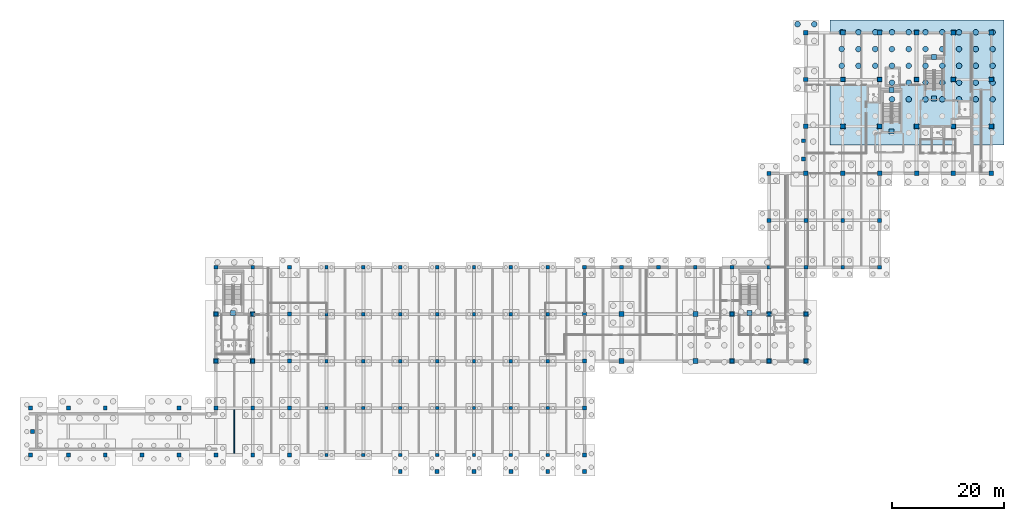
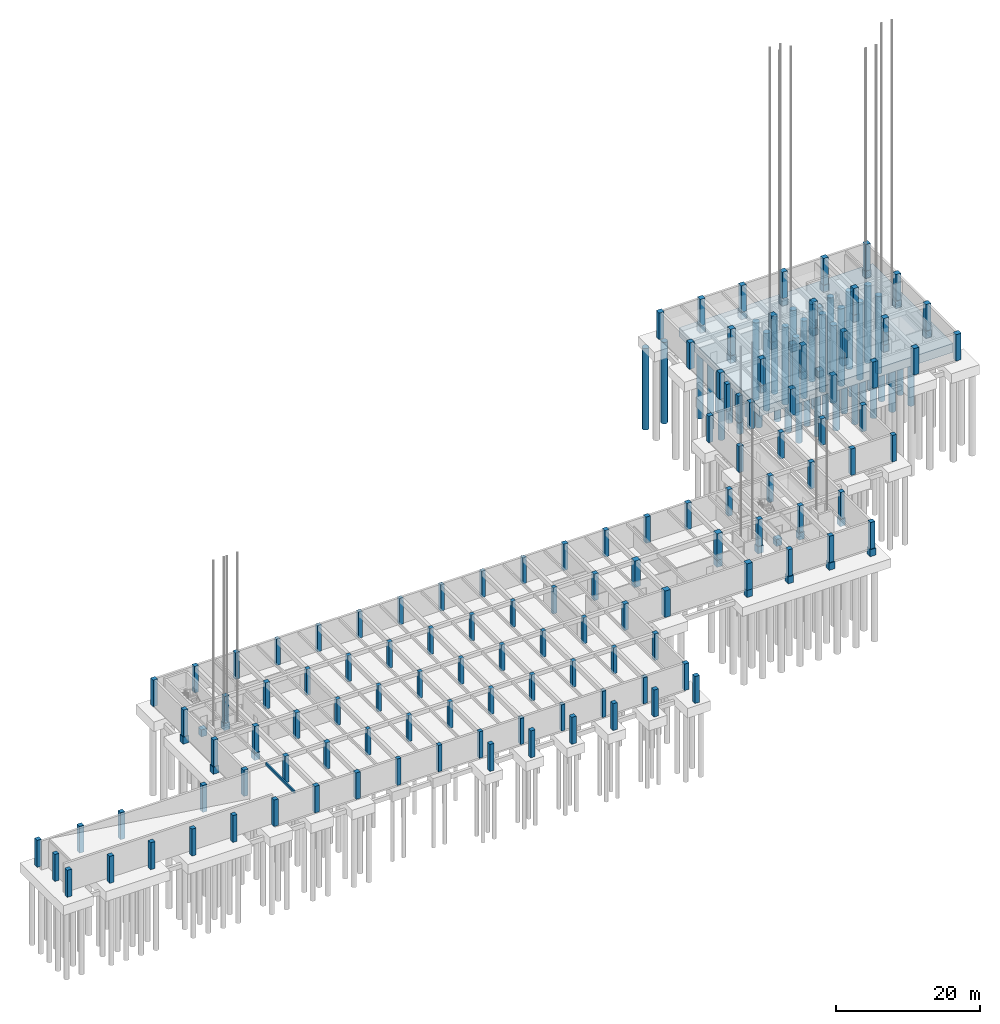
# One storey, part 5 of 44: 153 columns, 46 piles, 1 beam, 1 footing.
"""IFC4 building model written with IfcOpenShell, lengths in metres."""

import ifcopenshell
import ifcopenshell.guid

model = None  # the IFC model being written
_history = None  # IfcOwnerHistory: only IFC2X3 demands one
_inside = {}  # id of a spatial element -> (the spatial element, [elements in it])
_under = {}  # id of a project, library or spatial element -> (it, [spatial elements below it])
_declared = {}  # id of a project -> (the project, [libraries it declares])
_typed = {}  # id of a type object -> (the type object, [elements of that type])
_made_of = {}  # id of a material, layer set ... -> (it, [elements and type objects made of it])


def new_model(schema):
    """Start an empty IFC model of exactly this schema.

    Asked for "IFC4X3", IfcOpenShell would pick the latest addendum, in which some entities
    have other attributes; the version numbers below select the first issue.
    IFC2X3 requires an IfcOwnerHistory on every rooted entity: one is made here for all.
    """
    global model, _history
    if schema == "IFC4X3":
        model = ifcopenshell.file(schema_version=(4, 3, 0, 0))
    else:
        model = ifcopenshell.file(schema=schema)
    _inside.clear()
    _under.clear()
    _declared.clear()
    _typed.clear()
    _made_of.clear()
    _history = None
    if model.schema == "IFC2X3":
        org = make("IfcOrganization", Name="unknown")
        user = make(
            "IfcPersonAndOrganization",
            ThePerson=make("IfcPerson", FamilyName="unknown"),
            TheOrganization=org,
        )
        app = make(
            "IfcApplication",
            ApplicationDeveloper=org,
            Version="unknown",
            ApplicationFullName="unknown",
            ApplicationIdentifier="unknown",
        )
        _history = make(
            "IfcOwnerHistory",
            OwningUser=user,
            OwningApplication=app,
            ChangeAction="ADDED",
            CreationDate=0,
        )
    return model


def make(cls, **values):
    """One entity of the class cls with the attributes given. An attribute that is None is left unset."""
    return model.create_entity(
        cls, **{name: value for name, value in values.items() if value is not None}
    )


def rooted(cls, **values):
    """An entity with a GlobalId (a new one), such as an element, a storey or a relation."""
    return make(cls, GlobalId=ifcopenshell.guid.new(), OwnerHistory=_history, **values)


def si_unit(unit_type, name, prefix=None):
    """IfcSIUnit, for example si_unit("LENGTHUNIT", "METRE", prefix="MILLI")."""
    return make("IfcSIUnit", UnitType=unit_type, Prefix=prefix, Name=name)


def assignment(units):
    """IfcUnitAssignment: the units of a project."""
    return None if units is None else make("IfcUnitAssignment", Units=units)


def point(xyz):
    """IfcCartesianPoint."""
    return None if xyz is None else make("IfcCartesianPoint", Coordinates=xyz)


def direction(xyz):
    """IfcDirection."""
    return None if xyz is None else make("IfcDirection", DirectionRatios=xyz)


def frame(location, z_axis=None, x_axis=None):
    """IfcAxis2Placement3D, a coordinate frame: its origin and axes. An axis left out is left unset."""
    return make(
        "IfcAxis2Placement3D",
        Location=point(location),
        Axis=direction(z_axis),
        RefDirection=direction(x_axis),
    )


def frame_2d(location, x_axis=None):
    """IfcAxis2Placement2D, a coordinate frame in the plane: its origin and x axis."""
    return make(
        "IfcAxis2Placement2D", Location=point(location), RefDirection=direction(x_axis)
    )


def origin():
    """The frame at (0, 0, 0) with its axes left unset."""
    return frame((0.0, 0.0, 0.0))


def origin_2d():
    """The frame at (0, 0) in the plane with its x axis left unset."""
    return frame_2d((0.0, 0.0))


def place(relative_to, where):
    """IfcLocalPlacement: puts the frame where relative to a parent placement (None: the world)."""
    return make(
        "IfcLocalPlacement", PlacementRelTo=relative_to, RelativePlacement=where
    )


def context(
    kind, dimensions, precision=None, world=None, true_north=None, identifier=None
):
    """IfcGeometricRepresentationContext, for example the 3D "Model" context."""
    return make(
        "IfcGeometricRepresentationContext",
        ContextIdentifier=identifier,
        ContextType=kind,
        CoordinateSpaceDimension=dimensions,
        Precision=precision,
        WorldCoordinateSystem=world,
        TrueNorth=true_north,
    )


def subcontext(parent, identifier, kind, view, scale=None):
    """IfcGeometricRepresentationSubContext, for example "Body" below "Model"."""
    return make(
        "IfcGeometricRepresentationSubContext",
        ContextIdentifier=identifier,
        ContextType=kind,
        ParentContext=parent,
        TargetScale=scale,
        TargetView=view,
    )


def project(units=None, contexts=None):
    """IfcProject with its units and contexts."""
    return rooted(
        "IfcProject",
        Name="project",
        RepresentationContexts=contexts,
        UnitsInContext=assignment(units),
    )


def spatial(cls, under=None, at=None, **own):
    """A site, building, storey or space (cls), placed at a placement, below another one or the project."""
    s = rooted(cls, ObjectPlacement=at, **own)
    if under is not None:
        _under.setdefault(under.id(), (under, []))[1].append(s)
    return s


def profile(cls, at=None, kind="AREA", **sizes):
    """A parametric profile (cls). Its sizes go by their IFC names, for example OverallWidth=200.0."""
    return make(cls, ProfileType=kind, Position=at, **sizes)


def rectangle(**sizes):
    """IfcRectangleProfileDef."""
    return profile("IfcRectangleProfileDef", **sizes)


def circle(**sizes):
    """IfcCircleProfileDef."""
    return profile("IfcCircleProfileDef", **sizes)


def extrude(swept, where, along, depth):
    """IfcExtrudedAreaSolid: the profile swept, set in the frame where, extruded along a direction by depth."""
    return make(
        "IfcExtrudedAreaSolid",
        SweptArea=swept,
        Position=where,
        ExtrudedDirection=direction(along),
        Depth=depth,
    )


def shape(context_of_items, identifier, shape_type, items):
    """IfcShapeRepresentation: the items that make up one representation, for example the "Body"."""
    return make(
        "IfcShapeRepresentation",
        ContextOfItems=context_of_items,
        RepresentationIdentifier=identifier,
        RepresentationType=shape_type,
        Items=items,
    )


def material(Name=None, Category=None):
    """IfcMaterial."""
    return make("IfcMaterial", Name=Name, Category=Category)


def material_profile(
    of_material, cross_section, Name=None, Category=None, Priority=None
):
    """IfcMaterialProfile: a cross section and its material."""
    return make(
        "IfcMaterialProfile",
        Name=Name,
        Material=of_material,
        Profile=cross_section,
        Priority=Priority,
        Category=Category,
    )


def profile_set(profiles, Name=None, composite=None):
    """IfcMaterialProfileSet."""
    return make(
        "IfcMaterialProfileSet",
        Name=Name,
        MaterialProfiles=profiles,
        CompositeProfile=composite,
    )


def made_of(thing, what):
    """Note that an element or type object is made of a material, layer set ...; save() writes the relation."""
    if what is not None:
        _made_of.setdefault(what.id(), (what, []))[1].append(thing)
    return thing


def type_object(cls, material=None, **own):
    """A type object (cls), such as IfcWallType, which elements share."""
    return made_of(rooted(cls, **own), material)


def element(
    cls,
    number,
    at=None,
    inside=None,
    cuts=None,
    type_object=None,
    material=None,
    context=None,
    identifier="Body",
    shape_type=None,
    held_by="IfcProductDefinitionShape",
    body=None,
    shapes=None,
    **own,
):
    """One element of the class cls, such as IfcWall. Its Tag is "e" and its number.

    at: its placement. inside: the storey or other place that contains it. cuts: it is an
    opening in that element (IfcRelVoidsElement). A single representation is given by context,
    identifier, shape_type and body (its items); several are given by shapes. held_by: the class
    of the entity that holds the representations. save() writes the other relations.
    """
    e = rooted(cls, Tag="e%d" % number, ObjectPlacement=at, **own)
    if body is not None:
        shapes = [shape(context, identifier, shape_type, body)]
    if shapes is not None:
        e.Representation = make(held_by, Representations=shapes)
    if inside is not None:
        _inside.setdefault(inside.id(), (inside, []))[1].append(e)
    if cuts is not None:
        rooted(
            "IfcRelVoidsElement", RelatingBuildingElement=cuts, RelatedOpeningElement=e
        )
    if type_object is not None:
        _typed.setdefault(type_object.id(), (type_object, []))[1].append(e)
    return made_of(e, material)


def aggregate(whole, parts):
    """IfcRelAggregates: a whole, such as a stair, and the parts it consists of."""
    return rooted("IfcRelAggregates", RelatingObject=whole, RelatedObjects=parts)


def save(model, path):
    """Write the relations noted so far, then the file.

    IfcRelAggregates (storeys below a building ...), IfcRelContainedInSpatialStructure (elements
    in a storey), IfcRelDefinesByType, IfcRelAssociatesMaterial and IfcRelDeclares: one each for
    every whole, place, type object, material and project.
    """
    for whole, parts in _under.values():
        aggregate(whole, parts)
    for where, things in _inside.values():
        rooted(
            "IfcRelContainedInSpatialStructure",
            RelatedElements=things,
            RelatingStructure=where,
        )
    for kind, things in _typed.values():
        rooted("IfcRelDefinesByType", RelatedObjects=things, RelatingType=kind)
    for what, things in _made_of.values():
        rooted("IfcRelAssociatesMaterial", RelatedObjects=things, RelatingMaterial=what)
    for by, libraries in _declared.values():
        rooted("IfcRelDeclares", RelatingContext=by, RelatedDefinitions=libraries)
    model.write(path)


model = new_model("IFC4")

# Units and contexts
model_context = context("Model", 3, precision=1e-05, world=origin(), true_north=direction((0.0, 1.0)))
body_context = subcontext(model_context, "Body", "Model", "MODEL_VIEW")
ifc_project = project(units=[si_unit("LENGTHUNIT", "METRE"), si_unit("AREAUNIT", "SQUARE_METRE"), si_unit("VOLUMEUNIT", "CUBIC_METRE"), si_unit("PLANEANGLEUNIT", "RADIAN"), si_unit("MASSUNIT", "GRAM", prefix="KILO")], contexts=[model_context])

# Site, building, storey
site_placement = place(None, origin())
site = spatial("IfcSite", under=ifc_project, at=site_placement, CompositionType="ELEMENT")
building_placement = place(site_placement, origin())
building = spatial("IfcBuilding", under=site, at=building_placement, Name="Kolvaren Faculty of Natural Sciences", CompositionType="ELEMENT")
storey_placement = place(building_placement, frame((0.0, 0.0, -4.5)))
storey = spatial("IfcBuildingStorey", under=building, at=storey_placement, Name="B01", CompositionType="ELEMENT", Elevation=-4.5)

# Piles
ifc_material_1 = material(Name="Concrete C35/45", Category="concrete")
ifc_material_profile_1 = material_profile(ifc_material_1, circle(Radius=0.5, at=origin_2d()), Name="PILE D1000")
ifc_profile_set_1 = profile_set([ifc_material_profile_1], Name="Concrete C35/45")
pile_type = type_object("IfcPileType", Name="BoredPile_1000", PredefinedType="BORED", material=ifc_profile_set_1)
for number, where, z_axis, x_axis, name in (
    (1, (137.300048828125, 85.699951171875, -1.949951171875), (0.0, 0.0, -1.0), (1.0, 0.0, 0.0), "Rock-socketed bored pile BP-1000 under CAP-068"),
    (2, (140.300048828125, 85.699951171875, -1.949951171875), (0.0, 0.0, -1.0), (1.0, 0.0, 0.0), "Rock-socketed bored pile BP-1000 under CAP-068"),
):
    element("IfcPile", number, at=place(storey_placement, frame(where, z_axis=z_axis, x_axis=x_axis)), inside=storey, type_object=pile_type, Name=name, PredefinedType="BORED", context=body_context, shape_type="SweptSolid", body=[
        extrude(circle(Radius=0.5, at=origin_2d()), origin(), (0.0, 0.0, 1.0), 13.85009765625),
    ])
for number, where, z_axis, x_axis, name in (
    (3, (145.199951171875, 78.25, -2.60009765625), (0.0, 0.0, -1.0), (1.0, 0.0, 0.0), "Rock-socketed bored pile BP-1000 under CAP-072"),
    (4, (145.199951171875, 81.25, -2.60009765625), (0.0, 0.0, -1.0), (1.0, 0.0, 0.0), "Rock-socketed bored pile BP-1000 under CAP-072"),
    (5, (145.199951171875, 84.25, -2.60009765625), (0.0, 0.0, -1.0), (1.0, 0.0, 0.0), "Rock-socketed bored pile BP-1000 under CAP-072"),
    (6, (148.199951171875, 78.25, -2.60009765625), (0.0, 0.0, -1.0), (1.0, 0.0, 0.0), "Rock-socketed bored pile BP-1000 under CAP-072"),
    (7, (148.199951171875, 81.25, -2.60009765625), (0.0, 0.0, -1.0), (1.0, 0.0, 0.0), "Rock-socketed bored pile BP-1000 under CAP-072"),
    (8, (148.199951171875, 84.25, -2.60009765625), (0.0, 0.0, -1.0), (1.0, 0.0, 0.0), "Rock-socketed bored pile BP-1000 under CAP-072"),
    (9, (151.199951171875, 78.25, -2.60009765625), (0.0, 0.0, -1.0), (1.0, 0.0, 0.0), "Rock-socketed bored pile BP-1000 under CAP-072"),
    (10, (151.199951171875, 81.25, -2.60009765625), (0.0, 0.0, -1.0), (1.0, 0.0, 0.0), "Rock-socketed bored pile BP-1000 under CAP-072"),
    (11, (151.199951171875, 84.25, -2.60009765625), (0.0, 0.0, -1.0), (1.0, 0.0, 0.0), "Rock-socketed bored pile BP-1000 under CAP-072"),
    (12, (154.199951171875, 72.25, -2.60009765625), (0.0, 0.0, -1.0), (1.0, 0.0, 0.0), "Rock-socketed bored pile BP-1000 under CAP-072"),
    (13, (154.199951171875, 75.25, -2.60009765625), (0.0, 0.0, -1.0), (1.0, 0.0, 0.0), "Rock-socketed bored pile BP-1000 under CAP-072"),
    (14, (154.199951171875, 78.25, -2.60009765625), (0.0, 0.0, -1.0), (1.0, 0.0, 0.0), "Rock-socketed bored pile BP-1000 under CAP-072"),
    (15, (154.199951171875, 81.25, -2.60009765625), (0.0, 0.0, -1.0), (1.0, 0.0, 0.0), "Rock-socketed bored pile BP-1000 under CAP-072"),
    (16, (154.199951171875, 84.25, -2.60009765625), (0.0, 0.0, -1.0), (1.0, 0.0, 0.0), "Rock-socketed bored pile BP-1000 under CAP-072"),
    (17, (157.199951171875, 72.25, -2.60009765625), (0.0, 0.0, -1.0), (1.0, 0.0, 0.0), "Rock-socketed bored pile BP-1000 under CAP-072"),
    (18, (157.199951171875, 75.25, -2.60009765625), (0.0, 0.0, -1.0), (1.0, 0.0, 0.0), "Rock-socketed bored pile BP-1000 under CAP-072"),
    (19, (157.199951171875, 78.25, -2.60009765625), (0.0, 0.0, -1.0), (1.0, 0.0, 0.0), "Rock-socketed bored pile BP-1000 under CAP-072"),
    (20, (157.199951171875, 81.25, -2.60009765625), (0.0, 0.0, -1.0), (1.0, 0.0, 0.0), "Rock-socketed bored pile BP-1000 under CAP-072"),
    (21, (157.199951171875, 84.25, -2.60009765625), (0.0, 0.0, -1.0), (1.0, 0.0, 0.0), "Rock-socketed bored pile BP-1000 under CAP-072"),
    (22, (160.199951171875, 72.25, -2.60009765625), (0.0, 0.0, -1.0), (1.0, 0.0, 0.0), "Rock-socketed bored pile BP-1000 under CAP-072"),
    (23, (160.199951171875, 75.25, -2.60009765625), (0.0, 0.0, -1.0), (1.0, 0.0, 0.0), "Rock-socketed bored pile BP-1000 under CAP-072"),
    (24, (160.199951171875, 78.25, -2.60009765625), (0.0, 0.0, -1.0), (1.0, 0.0, 0.0), "Rock-socketed bored pile BP-1000 under CAP-072"),
    (25, (160.199951171875, 81.25, -2.60009765625), (0.0, 0.0, -1.0), (1.0, 0.0, 0.0), "Rock-socketed bored pile BP-1000 under CAP-072"),
    (26, (160.199951171875, 84.25, -2.60009765625), (0.0, 0.0, -1.0), (1.0, 0.0, 0.0), "Rock-socketed bored pile BP-1000 under CAP-072"),
    (27, (163.199951171875, 72.25, -2.60009765625), (0.0, 0.0, -1.0), (1.0, 0.0, 0.0), "Rock-socketed bored pile BP-1000 under CAP-072"),
    (28, (163.199951171875, 75.25, -2.60009765625), (0.0, 0.0, -1.0), (1.0, 0.0, 0.0), "Rock-socketed bored pile BP-1000 under CAP-072"),
    (29, (163.199951171875, 78.25, -2.60009765625), (0.0, 0.0, -1.0), (1.0, 0.0, 0.0), "Rock-socketed bored pile BP-1000 under CAP-072"),
    (30, (163.199951171875, 81.25, -2.60009765625), (0.0, 0.0, -1.0), (1.0, 0.0, 0.0), "Rock-socketed bored pile BP-1000 under CAP-072"),
    (31, (163.199951171875, 84.25, -2.60009765625), (0.0, 0.0, -1.0), (1.0, 0.0, 0.0), "Rock-socketed bored pile BP-1000 under CAP-072"),
    (32, (166.199951171875, 72.25, -2.60009765625), (0.0, 0.0, -1.0), (1.0, 0.0, 0.0), "Rock-socketed bored pile BP-1000 under CAP-072"),
    (33, (166.199951171875, 75.25, -2.60009765625), (0.0, 0.0, -1.0), (1.0, 0.0, 0.0), "Rock-socketed bored pile BP-1000 under CAP-072"),
    (34, (166.199951171875, 78.25, -2.60009765625), (0.0, 0.0, -1.0), (1.0, 0.0, 0.0), "Rock-socketed bored pile BP-1000 under CAP-072"),
    (35, (166.199951171875, 81.25, -2.60009765625), (0.0, 0.0, -1.0), (1.0, 0.0, 0.0), "Rock-socketed bored pile BP-1000 under CAP-072"),
    (36, (166.199951171875, 84.25, -2.60009765625), (0.0, 0.0, -1.0), (1.0, 0.0, 0.0), "Rock-socketed bored pile BP-1000 under CAP-072"),
    (37, (169.199951171875, 72.25, -2.60009765625), (0.0, 0.0, -1.0), (1.0, 0.0, 0.0), "Rock-socketed bored pile BP-1000 under CAP-072"),
    (38, (169.199951171875, 75.25, -2.60009765625), (0.0, 0.0, -1.0), (1.0, 0.0, 0.0), "Rock-socketed bored pile BP-1000 under CAP-072"),
    (39, (169.199951171875, 78.25, -2.60009765625), (0.0, 0.0, -1.0), (1.0, 0.0, 0.0), "Rock-socketed bored pile BP-1000 under CAP-072"),
    (40, (169.199951171875, 81.25, -2.60009765625), (0.0, 0.0, -1.0), (1.0, 0.0, 0.0), "Rock-socketed bored pile BP-1000 under CAP-072"),
    (41, (169.199951171875, 84.25, -2.60009765625), (0.0, 0.0, -1.0), (1.0, 0.0, 0.0), "Rock-socketed bored pile BP-1000 under CAP-072"),
    (42, (172.199951171875, 72.25, -2.60009765625), (0.0, 0.0, -1.0), (1.0, 0.0, 0.0), "Rock-socketed bored pile BP-1000 under CAP-072"),
    (43, (172.199951171875, 75.25, -2.60009765625), (0.0, 0.0, -1.0), (1.0, 0.0, 0.0), "Rock-socketed bored pile BP-1000 under CAP-072"),
    (44, (172.199951171875, 78.25, -2.60009765625), (0.0, 0.0, -1.0), (1.0, 0.0, 0.0), "Rock-socketed bored pile BP-1000 under CAP-072"),
    (45, (172.199951171875, 81.25, -2.60009765625), (0.0, 0.0, -1.0), (1.0, 0.0, 0.0), "Rock-socketed bored pile BP-1000 under CAP-072"),
    (46, (172.199951171875, 84.25, -2.60009765625), (0.0, 0.0, -1.0), (1.0, 0.0, 0.0), "Rock-socketed bored pile BP-1000 under CAP-072"),
):
    element("IfcPile", number, at=place(storey_placement, frame(where, z_axis=z_axis, x_axis=x_axis)), inside=storey, type_object=pile_type, Name=name, PredefinedType="BORED", context=body_context, shape_type="SweptSolid", body=[
        extrude(circle(Radius=0.5, at=origin_2d()), origin(), (0.0, 0.0, 1.0), 13.199951171875),
    ])

# Footing
footing_type = type_object("IfcFootingType", Name="PileCap_31100x22400x1500", PredefinedType="PILE_CAP", material=ifc_material_1)
footing_placement = place(storey_placement, frame((158.699951171875, 75.25, -2.699951171875), z_axis=(0.0, 0.0, 1.0), x_axis=(1.0, 0.0, 0.0)))
element("IfcFooting", 47, at=footing_placement, inside=storey, type_object=footing_type, Name="B01 reinforced concrete pile cap PC-14 (CAP-072)", PredefinedType="PILE_CAP", context=body_context, shape_type="SweptSolid", body=[
    extrude(rectangle(XDim=31.10009765625, YDim=22.39990234375, at=origin_2d()), origin(), (0.0, 0.0, 1.0), 1.5),
])

# Columns
ifc_material_profile_2 = material_profile(ifc_material_1, rectangle(XDim=0.60009765625, YDim=0.60009765625, at=origin_2d()), Name="RC COL 600x600")
ifc_profile_set_2 = profile_set([ifc_material_profile_2], Name="Concrete C35/45")
column_type_1 = type_object("IfcColumnType", Name="FrameColumn_600x600", PredefinedType="COLUMN", material=ifc_profile_set_2)
column_1_placement = place(storey_placement, frame((53.0, 8.60009765625, 0.0), z_axis=(0.0, 0.0, 1.0), x_axis=(1.0, 0.0, 0.0)))
element("IfcColumn", 48, at=column_1_placement, inside=storey, type_object=column_type_1, Name="B01 column FC-60 at 9/B", PredefinedType="COLUMN", context=body_context, shape_type="SweptSolid", body=[
    extrude(rectangle(XDim=0.60009765625, YDim=0.60009765625, at=origin_2d()), origin(), (0.0, 0.0, 1.0), 4.5),
])
for number, where, z_axis, x_axis, name in (
    (49, (53.0, 17.0, 0.0), (0.0, 0.0, 1.0), (1.0, 0.0, 0.0), "B01 column FC-60 at 9/C"),
    (50, (53.0, 25.39990234375, 0.0), (0.0, 0.0, 1.0), (1.0, 0.0, 0.0), "B01 column FC-60 at 9/D"),
    (51, (53.0, 33.800048828125, 0.0), (0.0, 0.0, 1.0), (1.0, 0.0, 0.0), "B01 column FC-60 at 9/E"),
    (52, (53.0, 42.199951171875, 0.0), (0.0, 0.0, 1.0), (1.0, 0.0, 0.0), "B01 column FC-60 at 9/F"),
):
    element("IfcColumn", number, at=place(storey_placement, frame(where, z_axis=z_axis, x_axis=x_axis)), inside=storey, type_object=column_type_1, Name=name, PredefinedType="COLUMN", context=body_context, shape_type="SweptSolid", body=[
        extrude(rectangle(XDim=0.60009765625, YDim=0.60009765625, at=origin_2d()), origin(), (0.0, 0.0, 1.0), 4.43994140625),
    ])
column_2_placement = place(storey_placement, frame((59.60009765625, 8.60009765625, 0.0), z_axis=(0.0, 0.0, 1.0), x_axis=(1.0, 0.0, 0.0)))
element("IfcColumn", 53, at=column_2_placement, inside=storey, type_object=column_type_1, Name="B01 column FC-60 at 10/B", PredefinedType="COLUMN", context=body_context, shape_type="SweptSolid", body=[
    extrude(rectangle(XDim=0.60009765625, YDim=0.60009765625, at=origin_2d()), origin(), (0.0, 0.0, 1.0), 4.5),
])
for number, where, z_axis, x_axis, name in (
    (54, (59.60009765625, 17.0, 0.0), (0.0, 0.0, 1.0), (1.0, 0.0, 0.0), "B01 column FC-60 at 10/C"),
    (55, (59.60009765625, 25.39990234375, 0.0), (0.0, 0.0, 1.0), (1.0, 0.0, 0.0), "B01 column FC-60 at 10/D"),
    (56, (59.60009765625, 33.800048828125, 0.0), (0.0, 0.0, 1.0), (1.0, 0.0, 0.0), "B01 column FC-60 at 10/E"),
    (57, (59.60009765625, 42.199951171875, 0.0), (0.0, 0.0, 1.0), (1.0, 0.0, 0.0), "B01 column FC-60 at 10/F"),
):
    element("IfcColumn", number, at=place(storey_placement, frame(where, z_axis=z_axis, x_axis=x_axis)), inside=storey, type_object=column_type_1, Name=name, PredefinedType="COLUMN", context=body_context, shape_type="SweptSolid", body=[
        extrude(rectangle(XDim=0.60009765625, YDim=0.60009765625, at=origin_2d()), origin(), (0.0, 0.0, 1.0), 4.43994140625),
    ])
column_3_placement = place(storey_placement, frame((66.199951171875, 8.60009765625, 0.0), z_axis=(0.0, 0.0, 1.0), x_axis=(1.0, 0.0, 0.0)))
element("IfcColumn", 58, at=column_3_placement, inside=storey, type_object=column_type_1, Name="B01 column FC-60 at 11/B", PredefinedType="COLUMN", context=body_context, shape_type="SweptSolid", body=[
    extrude(rectangle(XDim=0.60009765625, YDim=0.60009765625, at=origin_2d()), origin(), (0.0, 0.0, 1.0), 4.5),
])
for number, where, z_axis, x_axis, name in (
    (59, (66.199951171875, 17.0, 0.0), (0.0, 0.0, 1.0), (1.0, 0.0, 0.0), "B01 column FC-60 at 11/C"),
    (60, (66.199951171875, 25.39990234375, 0.0), (0.0, 0.0, 1.0), (1.0, 0.0, 0.0), "B01 column FC-60 at 11/D"),
    (61, (66.199951171875, 33.800048828125, 0.0), (0.0, 0.0, 1.0), (1.0, 0.0, 0.0), "B01 column FC-60 at 11/E"),
    (62, (66.199951171875, 42.199951171875, 0.0), (0.0, 0.0, 1.0), (1.0, 0.0, 0.0), "B01 column FC-60 at 11/F"),
    (63, (72.800048828125, 8.60009765625, 0.0), (0.0, 0.0, 1.0), (1.0, 0.0, 0.0), "B01 column FC-60 at 12/B"),
    (64, (72.800048828125, 17.0, 0.0), (0.0, 0.0, 1.0), (1.0, 0.0, 0.0), "B01 column FC-60 at 12/C"),
    (65, (72.800048828125, 25.39990234375, 0.0), (0.0, 0.0, 1.0), (1.0, 0.0, 0.0), "B01 column FC-60 at 12/D"),
    (66, (72.800048828125, 33.800048828125, 0.0), (0.0, 0.0, 1.0), (1.0, 0.0, 0.0), "B01 column FC-60 at 12/E"),
    (67, (72.800048828125, 42.199951171875, 0.0), (0.0, 0.0, 1.0), (1.0, 0.0, 0.0), "B01 column FC-60 at 12/F"),
    (68, (79.39990234375, 8.60009765625, 0.0), (0.0, 0.0, 1.0), (1.0, 0.0, 0.0), "B01 column FC-60 at 13/B"),
    (69, (79.39990234375, 17.0, 0.0), (0.0, 0.0, 1.0), (1.0, 0.0, 0.0), "B01 column FC-60 at 13/C"),
    (70, (79.39990234375, 25.39990234375, 0.0), (0.0, 0.0, 1.0), (1.0, 0.0, 0.0), "B01 column FC-60 at 13/D"),
    (71, (79.39990234375, 33.800048828125, 0.0), (0.0, 0.0, 1.0), (1.0, 0.0, 0.0), "B01 column FC-60 at 13/E"),
    (72, (79.39990234375, 42.199951171875, 0.0), (0.0, 0.0, 1.0), (1.0, 0.0, 0.0), "B01 column FC-60 at 13/F"),
    (73, (86.0, 8.60009765625, 0.0), (0.0, 0.0, 1.0), (1.0, 0.0, 0.0), "B01 column FC-60 at 14/B"),
    (74, (86.0, 17.0, 0.0), (0.0, 0.0, 1.0), (1.0, 0.0, 0.0), "B01 column FC-60 at 14/C"),
    (75, (86.0, 25.39990234375, 0.0), (0.0, 0.0, 1.0), (1.0, 0.0, 0.0), "B01 column FC-60 at 14/D"),
    (76, (86.0, 33.800048828125, 0.0), (0.0, 0.0, 1.0), (1.0, 0.0, 0.0), "B01 column FC-60 at 14/E"),
    (77, (86.0, 42.199951171875, 0.0), (0.0, 0.0, 1.0), (1.0, 0.0, 0.0), "B01 column FC-60 at 14/F"),
    (78, (92.60009765625, 8.60009765625, 0.0), (0.0, 0.0, 1.0), (1.0, 0.0, 0.0), "B01 column FC-60 at 15/B"),
    (79, (92.60009765625, 17.0, 0.0), (0.0, 0.0, 1.0), (1.0, 0.0, 0.0), "B01 column FC-60 at 15/C"),
    (80, (92.60009765625, 25.39990234375, 0.0), (0.0, 0.0, 1.0), (1.0, 0.0, 0.0), "B01 column FC-60 at 15/D"),
    (81, (92.60009765625, 33.800048828125, 0.0), (0.0, 0.0, 1.0), (1.0, 0.0, 0.0), "B01 column FC-60 at 15/E"),
    (82, (92.60009765625, 42.199951171875, 0.0), (0.0, 0.0, 1.0), (1.0, 0.0, 0.0), "B01 column FC-60 at 15/F"),
):
    element("IfcColumn", number, at=place(storey_placement, frame(where, z_axis=z_axis, x_axis=x_axis)), inside=storey, type_object=column_type_1, Name=name, PredefinedType="COLUMN", context=body_context, shape_type="SweptSolid", body=[
        extrude(rectangle(XDim=0.60009765625, YDim=0.60009765625, at=origin_2d()), origin(), (0.0, 0.0, 1.0), 4.43994140625),
    ])
ifc_material_2 = material(Name="Concrete C40/50", Category="concrete")
ifc_material_profile_3 = material_profile(ifc_material_2, rectangle(XDim=0.89990234375, YDim=0.89990234375, at=origin_2d()), Name="RC COL 900x900")
ifc_profile_set_3 = profile_set([ifc_material_profile_3], Name="Concrete C40/50")
column_type_2 = type_object("IfcColumnType", Name="MegaColumn_900x900", PredefinedType="COLUMN", material=ifc_profile_set_3)
for number, where, z_axis, x_axis, name in (
    (83, (105.800048828125, 25.39990234375, 0.0), (0.0, 0.0, 1.0), (1.0, 0.0, 0.0), "B01 column MC-1 at 17/D"),
    (84, (105.800048828125, 33.800048828125, 0.0), (0.0, 0.0, 1.0), (1.0, 0.0, 0.0), "B01 column MC-1 at 17/E"),
    (85, (119.0, 25.39990234375, 0.0), (0.0, 0.0, 1.0), (1.0, 0.0, 0.0), "B01 column MC-1 at 19/D"),
    (86, (119.0, 33.800048828125, 0.0), (0.0, 0.0, 1.0), (1.0, 0.0, 0.0), "B01 column MC-1 at 19/E"),
):
    element("IfcColumn", number, at=place(storey_placement, frame(where, z_axis=z_axis, x_axis=x_axis)), inside=storey, type_object=column_type_2, Name=name, PredefinedType="COLUMN", context=body_context, shape_type="SweptSolid", body=[
        extrude(rectangle(XDim=0.89990234375, YDim=0.89990234375, at=origin_2d()), origin(), (0.0, 0.0, 1.0), 4.5),
    ])
for number, where, z_axis, x_axis, name in (
    (87, (33.199951171875, 25.39990234375, -1.199951171875), (0.0, 0.0, 1.0), (1.0, 0.0, 0.0), "B01 deep pit-cap concrete pedestal 8.19"),
    (88, (33.199951171875, 33.800048828125, -1.199951171875), (0.0, 0.0, 1.0), (1.0, 0.0, 0.0), "B01 deep pit-cap concrete pedestal 8.20"),
    (89, (36.300048828125, 34.050048828125, -1.199951171875), (0.0, 0.0, 1.0), (1.0, 0.0, 0.0), "B01 deep pit-cap concrete pedestal 8.22"),
    (90, (39.800048828125, 25.39990234375, -1.199951171875), (0.0, 0.0, 1.0), (1.0, 0.0, 0.0), "B01 deep pit-cap concrete pedestal 8.27"),
    (91, (39.800048828125, 33.800048828125, -1.199951171875), (0.0, 0.0, 1.0), (1.0, 0.0, 0.0), "B01 deep pit-cap concrete pedestal 8.28"),
    (92, (119.0, 25.39990234375, -1.199951171875), (0.0, 0.0, 1.0), (1.0, 0.0, 0.0), "B01 deep pit-cap concrete pedestal 61.85"),
    (93, (119.0, 33.800048828125, -1.199951171875), (0.0, 0.0, 1.0), (1.0, 0.0, 0.0), "B01 deep pit-cap concrete pedestal 61.86"),
    (94, (125.60009765625, 25.39990234375, -1.199951171875), (0.0, 0.0, 1.0), (1.0, 0.0, 0.0), "B01 deep pit-cap concrete pedestal 61.89"),
    (95, (125.60009765625, 33.800048828125, -1.199951171875), (0.0, 0.0, 1.0), (1.0, 0.0, 0.0), "B01 deep pit-cap concrete pedestal 61.90"),
    (96, (128.699951171875, 34.050048828125, -1.199951171875), (0.0, 0.0, 1.0), (1.0, 0.0, 0.0), "B01 deep pit-cap concrete pedestal 61.92"),
    (97, (132.199951171875, 25.39990234375, -1.199951171875), (0.0, 0.0, 1.0), (1.0, 0.0, 0.0), "B01 deep pit-cap concrete pedestal 61.94"),
    (98, (132.199951171875, 33.800048828125, -1.199951171875), (0.0, 0.0, 1.0), (1.0, 0.0, 0.0), "B01 deep pit-cap concrete pedestal 61.95"),
    (99, (138.800048828125, 25.39990234375, -1.199951171875), (0.0, 0.0, 1.0), (1.0, 0.0, 0.0), "B01 deep pit-cap concrete pedestal 61.102"),
    (100, (138.800048828125, 33.800048828125, -1.199951171875), (0.0, 0.0, 1.0), (1.0, 0.0, 0.0), "B01 deep pit-cap concrete pedestal 61.103"),
    (101, (145.39990234375, 67.39990234375, -1.199951171875), (0.0, 0.0, 1.0), (1.0, 0.0, 0.0), "B01 deep pit-cap concrete pedestal 72.113"),
    (102, (145.39990234375, 75.800048828125, -1.199951171875), (0.0, 0.0, 1.0), (1.0, 0.0, 0.0), "B01 deep pit-cap concrete pedestal 72.114"),
    (103, (145.39990234375, 84.199951171875, -1.199951171875), (0.0, 0.0, 1.0), (1.0, 0.0, 0.0), "B01 deep pit-cap concrete pedestal 72.115"),
    (104, (152.0, 67.39990234375, -1.199951171875), (0.0, 0.0, 1.0), (1.0, 0.0, 0.0), "B01 deep pit-cap concrete pedestal 72.120"),
    (105, (152.0, 75.800048828125, -1.199951171875), (0.0, 0.0, 1.0), (1.0, 0.0, 0.0), "B01 deep pit-cap concrete pedestal 72.121"),
    (106, (152.0, 84.199951171875, -1.199951171875), (0.0, 0.0, 1.0), (1.0, 0.0, 0.0), "B01 deep pit-cap concrete pedestal 72.122"),
    (107, (154.14990234375, 66.5, -1.199951171875), (0.0, 0.0, 1.0), (1.0, 0.0, 0.0), "B01 deep pit-cap concrete pedestal 72.123"),
    (108, (154.14990234375, 73.89990234375, -1.199951171875), (0.0, 0.0, 1.0), (1.0, 0.0, 0.0), "B01 deep pit-cap concrete pedestal 72.124"),
    (109, (158.60009765625, 67.39990234375, -1.199951171875), (0.0, 0.0, 1.0), (1.0, 0.0, 0.0), "B01 deep pit-cap concrete pedestal 72.127"),
    (110, (158.60009765625, 75.800048828125, -1.199951171875), (0.0, 0.0, 1.0), (1.0, 0.0, 0.0), "B01 deep pit-cap concrete pedestal 72.128"),
    (111, (158.60009765625, 84.199951171875, -1.199951171875), (0.0, 0.0, 1.0), (1.0, 0.0, 0.0), "B01 deep pit-cap concrete pedestal 72.129"),
    (112, (161.75, 72.39990234375, -1.199951171875), (0.0, 0.0, 1.0), (1.0, 0.0, 0.0), "B01 deep pit-cap concrete pedestal 72.130"),
    (113, (161.75, 79.800048828125, -1.199951171875), (0.0, 0.0, 1.0), (1.0, 0.0, 0.0), "B01 deep pit-cap concrete pedestal 72.131"),
    (114, (165.199951171875, 67.39990234375, -1.199951171875), (0.0, 0.0, 1.0), (1.0, 0.0, 0.0), "B01 deep pit-cap concrete pedestal 72.134"),
    (115, (165.199951171875, 75.800048828125, -1.199951171875), (0.0, 0.0, 1.0), (1.0, 0.0, 0.0), "B01 deep pit-cap concrete pedestal 72.135"),
    (116, (165.199951171875, 84.199951171875, -1.199951171875), (0.0, 0.0, 1.0), (1.0, 0.0, 0.0), "B01 deep pit-cap concrete pedestal 72.136"),
    (117, (172.0, 67.39990234375, -1.199951171875), (0.0, 0.0, 1.0), (1.0, 0.0, 0.0), "B01 deep pit-cap concrete pedestal 72.139"),
    (118, (172.0, 75.800048828125, -1.199951171875), (0.0, 0.0, 1.0), (1.0, 0.0, 0.0), "B01 deep pit-cap concrete pedestal 72.140"),
    (119, (172.0, 84.199951171875, -1.199951171875), (0.0, 0.0, 1.0), (1.0, 0.0, 0.0), "B01 deep pit-cap concrete pedestal 72.141"),
):
    element("IfcColumn", number, at=place(storey_placement, frame(where, z_axis=z_axis, x_axis=x_axis)), inside=storey, type_object=column_type_2, Name=name, PredefinedType="COLUMN", context=body_context, shape_type="SweptSolid", body=[
        extrude(rectangle(XDim=0.89990234375, YDim=0.89990234375, at=origin_2d()), origin(), (0.0, 0.0, 1.0), 1.199951171875),
    ])
ifc_material_profile_4 = material_profile(ifc_material_2, rectangle(XDim=0.800048828125, YDim=0.800048828125, at=origin_2d()), Name="RC COL 800x800")
ifc_profile_set_4 = profile_set([ifc_material_profile_4], Name="Concrete C40/50")
column_type_3 = type_object("IfcColumnType", Name="TowerColumn_800x800", PredefinedType="COLUMN", material=ifc_profile_set_4)
for number, where, z_axis, x_axis, name in (
    (120, (138.800048828125, 59.0, 0.0), (0.0, 0.0, 1.0), (1.0, 0.0, 0.0), "B01 column TC-80 at 22/H"),
    (121, (138.800048828125, 67.39990234375, 0.0), (0.0, 0.0, 1.0), (1.0, 0.0, 0.0), "B01 column TC-80 at 22/J"),
    (122, (138.800048828125, 75.800048828125, 0.0), (0.0, 0.0, 1.0), (1.0, 0.0, 0.0), "B01 column TC-80 at 22/K"),
    (123, (138.800048828125, 84.199951171875, 0.0), (0.0, 0.0, 1.0), (1.0, 0.0, 0.0), "B01 column TC-80 at 22/L"),
    (124, (145.39990234375, 59.0, 0.0), (0.0, 0.0, 1.0), (1.0, 0.0, 0.0), "B01 column TC-80 at 23/H"),
    (125, (145.39990234375, 67.39990234375, 0.0), (0.0, 0.0, 1.0), (1.0, 0.0, 0.0), "B01 column TC-80 at 23/J"),
    (126, (145.39990234375, 75.800048828125, 0.0), (0.0, 0.0, 1.0), (1.0, 0.0, 0.0), "B01 column TC-80 at 23/K"),
    (127, (145.39990234375, 84.199951171875, 0.0), (0.0, 0.0, 1.0), (1.0, 0.0, 0.0), "B01 column TC-80 at 23/L"),
    (128, (152.0, 59.0, 0.0), (0.0, 0.0, 1.0), (1.0, 0.0, 0.0), "B01 column TC-80 at 24/H"),
    (129, (152.0, 67.39990234375, 0.0), (0.0, 0.0, 1.0), (1.0, 0.0, 0.0), "B01 column TC-80 at 24/J"),
    (130, (152.0, 75.800048828125, 0.0), (0.0, 0.0, 1.0), (1.0, 0.0, 0.0), "B01 column TC-80 at 24/K"),
    (131, (152.0, 84.199951171875, 0.0), (0.0, 0.0, 1.0), (1.0, 0.0, 0.0), "B01 column TC-80 at 24/L"),
    (132, (158.60009765625, 59.0, 0.0), (0.0, 0.0, 1.0), (1.0, 0.0, 0.0), "B01 column TC-80 at 25/H"),
    (133, (158.60009765625, 67.39990234375, 0.0), (0.0, 0.0, 1.0), (1.0, 0.0, 0.0), "B01 column TC-80 at 25/J"),
    (134, (158.60009765625, 75.800048828125, 0.0), (0.0, 0.0, 1.0), (1.0, 0.0, 0.0), "B01 column TC-80 at 25/K"),
    (135, (158.60009765625, 84.199951171875, 0.0), (0.0, 0.0, 1.0), (1.0, 0.0, 0.0), "B01 column TC-80 at 25/L"),
    (136, (165.199951171875, 59.0, 0.0), (0.0, 0.0, 1.0), (1.0, 0.0, 0.0), "B01 column TC-80 at 26/H"),
    (137, (165.199951171875, 67.39990234375, 0.0), (0.0, 0.0, 1.0), (1.0, 0.0, 0.0), "B01 column TC-80 at 26/J"),
    (138, (165.199951171875, 75.800048828125, 0.0), (0.0, 0.0, 1.0), (1.0, 0.0, 0.0), "B01 column TC-80 at 26/K"),
    (139, (165.199951171875, 84.199951171875, 0.0), (0.0, 0.0, 1.0), (1.0, 0.0, 0.0), "B01 column TC-80 at 26/L"),
    (140, (172.0, 59.0, 0.0), (0.0, 0.0, 1.0), (1.0, 0.0, 0.0), "B01 column TC-80 at 27/H"),
    (141, (172.0, 67.39990234375, 0.0), (0.0, 0.0, 1.0), (1.0, 0.0, 0.0), "B01 column TC-80 at 27/J"),
    (142, (172.0, 75.800048828125, 0.0), (0.0, 0.0, 1.0), (1.0, 0.0, 0.0), "B01 column TC-80 at 27/K"),
    (143, (172.0, 84.199951171875, 0.0), (0.0, 0.0, 1.0), (1.0, 0.0, 0.0), "B01 column TC-80 at 27/L"),
):
    element("IfcColumn", number, at=place(storey_placement, frame(where, z_axis=z_axis, x_axis=x_axis)), inside=storey, type_object=column_type_3, Name=name, PredefinedType="COLUMN", context=body_context, shape_type="SweptSolid", body=[
        extrude(rectangle(XDim=0.800048828125, YDim=0.800048828125, at=origin_2d()), origin(), (0.0, 0.0, 1.0), 4.5),
    ])
ifc_material_profile_5 = material_profile(ifc_material_2, rectangle(XDim=0.699951171875, YDim=0.699951171875, at=origin_2d()), Name="RC COL 700x700")
ifc_profile_set_5 = profile_set([ifc_material_profile_5], Name="Concrete C40/50")
column_type_4 = type_object("IfcColumnType", Name="WingColumn_700x700", PredefinedType="COLUMN", material=ifc_profile_set_5)
for number, where, z_axis, x_axis, name in (
    (144, (33.199951171875, 8.60009765625, 0.0), (0.0, 0.0, 1.0), (1.0, 0.0, 0.0), "B01 column WC-70 at 6/B"),
    (145, (33.199951171875, 17.0, 0.0), (0.0, 0.0, 1.0), (1.0, 0.0, 0.0), "B01 column WC-70 at 6/C"),
    (146, (33.199951171875, 25.39990234375, 0.0), (0.0, 0.0, 1.0), (1.0, 0.0, 0.0), "B01 column WC-70 at 6/D"),
    (147, (33.199951171875, 33.800048828125, 0.0), (0.0, 0.0, 1.0), (1.0, 0.0, 0.0), "B01 column WC-70 at 6/E"),
    (148, (33.199951171875, 42.199951171875, 0.0), (0.0, 0.0, 1.0), (1.0, 0.0, 0.0), "B01 column WC-70 at 6/F"),
    (149, (39.800048828125, 8.60009765625, 0.0), (0.0, 0.0, 1.0), (1.0, 0.0, 0.0), "B01 column WC-70 at 7/B"),
    (150, (39.800048828125, 17.0, 0.0), (0.0, 0.0, 1.0), (1.0, 0.0, 0.0), "B01 column WC-70 at 7/C"),
    (151, (39.800048828125, 25.39990234375, 0.0), (0.0, 0.0, 1.0), (1.0, 0.0, 0.0), "B01 column WC-70 at 7/D"),
    (152, (39.800048828125, 33.800048828125, 0.0), (0.0, 0.0, 1.0), (1.0, 0.0, 0.0), "B01 column WC-70 at 7/E"),
    (153, (39.800048828125, 42.199951171875, 0.0), (0.0, 0.0, 1.0), (1.0, 0.0, 0.0), "B01 column WC-70 at 7/F"),
    (154, (46.39990234375, 8.60009765625, 0.0), (0.0, 0.0, 1.0), (1.0, 0.0, 0.0), "B01 column WC-70 at 8/B"),
    (155, (46.39990234375, 17.0, 0.0), (0.0, 0.0, 1.0), (1.0, 0.0, 0.0), "B01 column WC-70 at 8/C"),
    (156, (46.39990234375, 25.39990234375, 0.0), (0.0, 0.0, 1.0), (1.0, 0.0, 0.0), "B01 column WC-70 at 8/D"),
    (157, (46.39990234375, 33.800048828125, 0.0), (0.0, 0.0, 1.0), (1.0, 0.0, 0.0), "B01 column WC-70 at 8/E"),
    (158, (46.39990234375, 42.199951171875, 0.0), (0.0, 0.0, 1.0), (1.0, 0.0, 0.0), "B01 column WC-70 at 8/F"),
    (159, (99.199951171875, 8.60009765625, 0.0), (0.0, 0.0, 1.0), (1.0, 0.0, 0.0), "B01 column WC-70 at 16/B"),
    (160, (99.199951171875, 17.0, 0.0), (0.0, 0.0, 1.0), (1.0, 0.0, 0.0), "B01 column WC-70 at 16/C"),
    (161, (99.199951171875, 25.39990234375, 0.0), (0.0, 0.0, 1.0), (1.0, 0.0, 0.0), "B01 column WC-70 at 16/D"),
    (162, (99.199951171875, 33.800048828125, 0.0), (0.0, 0.0, 1.0), (1.0, 0.0, 0.0), "B01 column WC-70 at 16/E"),
    (163, (99.199951171875, 42.199951171875, 0.0), (0.0, 0.0, 1.0), (1.0, 0.0, 0.0), "B01 column WC-70 at 16/F"),
    (164, (105.800048828125, 42.199951171875, 0.0), (0.0, 0.0, 1.0), (1.0, 0.0, 0.0), "B01 column WC-70 at 17/F"),
    (165, (112.39990234375, 42.199951171875, 0.0), (0.0, 0.0, 1.0), (1.0, 0.0, 0.0), "B01 column WC-70 at 18/F"),
    (166, (119.0, 42.199951171875, 0.0), (0.0, 0.0, 1.0), (1.0, 0.0, 0.0), "B01 column WC-70 at 19/F"),
    (167, (125.60009765625, 25.39990234375, 0.0), (0.0, 0.0, 1.0), (1.0, 0.0, 0.0), "B01 column WC-70 at 20/D"),
    (168, (125.60009765625, 33.800048828125, 0.0), (0.0, 0.0, 1.0), (1.0, 0.0, 0.0), "B01 column WC-70 at 20/E"),
    (169, (125.60009765625, 42.199951171875, 0.0), (0.0, 0.0, 1.0), (1.0, 0.0, 0.0), "B01 column WC-70 at 20/F"),
    (170, (132.199951171875, 25.39990234375, 0.0), (0.0, 0.0, 1.0), (1.0, 0.0, 0.0), "B01 column WC-70 at 21/D"),
    (171, (132.199951171875, 33.800048828125, 0.0), (0.0, 0.0, 1.0), (1.0, 0.0, 0.0), "B01 column WC-70 at 21/E"),
    (172, (132.199951171875, 42.199951171875, 0.0), (0.0, 0.0, 1.0), (1.0, 0.0, 0.0), "B01 column WC-70 at 21/F"),
    (173, (132.199951171875, 50.60009765625, 0.0), (0.0, 0.0, 1.0), (1.0, 0.0, 0.0), "B01 column WC-70 at 21/G"),
    (174, (132.199951171875, 59.0, 0.0), (0.0, 0.0, 1.0), (1.0, 0.0, 0.0), "B01 column WC-70 at 21/H"),
    (175, (138.800048828125, 25.39990234375, 0.0), (0.0, 0.0, 1.0), (1.0, 0.0, 0.0), "B01 column WC-70 at 22/D"),
    (176, (138.800048828125, 33.800048828125, 0.0), (0.0, 0.0, 1.0), (1.0, 0.0, 0.0), "B01 column WC-70 at 22/E"),
    (177, (138.800048828125, 42.199951171875, 0.0), (0.0, 0.0, 1.0), (1.0, 0.0, 0.0), "B01 column WC-70 at 22/F"),
    (178, (138.800048828125, 50.60009765625, 0.0), (0.0, 0.0, 1.0), (1.0, 0.0, 0.0), "B01 column WC-70 at 22/G"),
    (179, (145.39990234375, 42.199951171875, 0.0), (0.0, 0.0, 1.0), (1.0, 0.0, 0.0), "B01 column WC-70 at 23/F"),
    (180, (145.39990234375, 50.60009765625, 0.0), (0.0, 0.0, 1.0), (1.0, 0.0, 0.0), "B01 column WC-70 at 23/G"),
    (181, (152.0, 42.199951171875, 0.0), (0.0, 0.0, 1.0), (1.0, 0.0, 0.0), "B01 column WC-70 at 24/F"),
    (182, (152.0, 50.60009765625, 0.0), (0.0, 0.0, 1.0), (1.0, 0.0, 0.0), "B01 column WC-70 at 24/G"),
):
    element("IfcColumn", number, at=place(storey_placement, frame(where, z_axis=z_axis, x_axis=x_axis)), inside=storey, type_object=column_type_4, Name=name, PredefinedType="COLUMN", context=body_context, shape_type="SweptSolid", body=[
        extrude(rectangle(XDim=0.699951171875, YDim=0.699951171875, at=origin_2d()), origin(), (0.0, 0.0, 1.0), 4.5),
    ])
for number, where, z_axis, x_axis, name in (
    (183, (0.0, 8.60009765625, -0.39990234375), (0.0, 0.0, 1.0), (1.0, 0.0, 0.0), "B01 deep foundation pier COL-1-B"),
    (184, (0.0, 17.0, -0.39990234375), (0.0, 0.0, 1.0), (1.0, 0.0, 0.0), "B01 deep foundation pier COL-1-C"),
    (185, (6.800048828125, 8.60009765625, -0.39990234375), (0.0, 0.0, 1.0), (1.0, 0.0, 0.0), "B01 deep foundation pier COL-2-B"),
    (186, (6.800048828125, 17.0, -0.39990234375), (0.0, 0.0, 1.0), (1.0, 0.0, 0.0), "B01 deep foundation pier COL-2-C"),
    (187, (13.39990234375, 8.60009765625, -0.39990234375), (0.0, 0.0, 1.0), (1.0, 0.0, 0.0), "B01 deep foundation pier COL-3-B"),
    (188, (13.39990234375, 17.0, -0.39990234375), (0.0, 0.0, 1.0), (1.0, 0.0, 0.0), "B01 deep foundation pier COL-3-C"),
    (189, (20.0, 8.60009765625, -0.39990234375), (0.0, 0.0, 1.0), (1.0, 0.0, 0.0), "B01 deep foundation pier COL-4-B"),
    (190, (26.60009765625, 8.60009765625, -0.39990234375), (0.0, 0.0, 1.0), (1.0, 0.0, 0.0), "B01 deep foundation pier COL-5-B"),
    (191, (26.60009765625, 17.0, -0.39990234375), (0.0, 0.0, 1.0), (1.0, 0.0, 0.0), "B01 deep foundation pier COL-5-C"),
    (192, (66.199951171875, 5.64990234375, -0.39990234375), (0.0, 0.0, 1.0), (1.0, 0.0, 0.0), "B01 deep foundation pier GARDEN-ARC-N-66"),
    (193, (72.800048828125, 5.64990234375, -0.39990234375), (0.0, 0.0, 1.0), (1.0, 0.0, 0.0), "B01 deep foundation pier GARDEN-ARC-N-72"),
    (194, (79.39990234375, 5.64990234375, -0.39990234375), (0.0, 0.0, 1.0), (1.0, 0.0, 0.0), "B01 deep foundation pier GARDEN-ARC-N-79"),
    (195, (86.0, 5.64990234375, -0.39990234375), (0.0, 0.0, 1.0), (1.0, 0.0, 0.0), "B01 deep foundation pier GARDEN-ARC-N-86"),
    (196, (92.60009765625, 5.64990234375, -0.39990234375), (0.0, 0.0, 1.0), (1.0, 0.0, 0.0), "B01 deep foundation pier GARDEN-ARC-N-92"),
    (197, (99.199951171875, 5.64990234375, -0.39990234375), (0.0, 0.0, 1.0), (1.0, 0.0, 0.0), "B01 deep foundation pier GARDEN-ARC-N-99"),
    (198, (138.39990234375, 61.565185546875, -0.39990234375), (0.0, 0.0, 1.0), (1.0, 0.0, 0.0), "B01 deep foundation pier CANOPY-END-E-S"),
    (199, (138.39990234375, 64.834716796875, -0.39990234375), (0.0, 0.0, 1.0), (1.0, 0.0, 0.0), "B01 deep foundation pier CANOPY-END-E-N"),
    (200, (0.39990234375, 12.800048828125, -0.39990234375), (0.0, 0.0, 1.0), (1.0, 0.0, 0.0), "B01 deep foundation pier RAMP-TOP"),
):
    element("IfcColumn", number, at=place(storey_placement, frame(where, z_axis=z_axis, x_axis=x_axis)), inside=storey, type_object=column_type_4, Name=name, PredefinedType="COLUMN", context=body_context, shape_type="SweptSolid", body=[
        extrude(rectangle(XDim=0.699951171875, YDim=0.699951171875, at=origin_2d()), origin(), (0.0, 0.0, 1.0), 4.579833984375),
    ])

# Beam
ifc_material_profile_6 = material_profile(ifc_material_1, rectangle(XDim=0.219970703125, YDim=0.449951171875, at=origin_2d()), Name="RC JST 220x450")
ifc_profile_set_6 = profile_set([ifc_material_profile_6], Name="Concrete C35/45")
beam_type = type_object("IfcBeamType", Name="OfficeRibJoist_220x450", PredefinedType="JOIST", material=ifc_profile_set_6)
beam_placement = place(storey_placement, frame((36.5, 8.77490234375, 4.27490234375), z_axis=(0.0, 1.0, 0.0), x_axis=(-1.0, 0.0, 0.0)))
element("IfcBeam", 201, at=beam_placement, inside=storey, type_object=beam_type, Name="B01 ribbed laboratory slab joist JS-45", PredefinedType="JOIST", context=body_context, shape_type="SweptSolid", body=[
    extrude(rectangle(XDim=0.219970703125, YDim=0.449951171875, at=origin_2d()), origin(), (0.0, 0.0, 1.0), 8.0),
])

save(model, "model.ifc")
